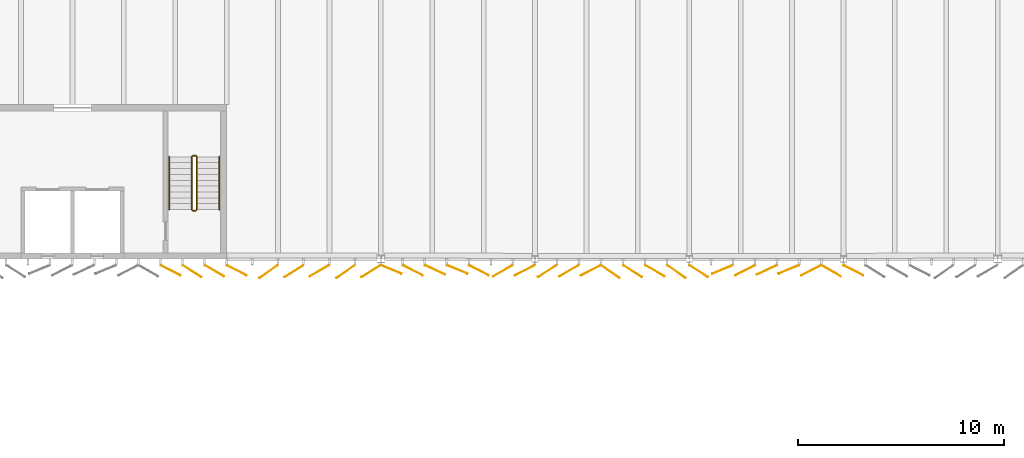
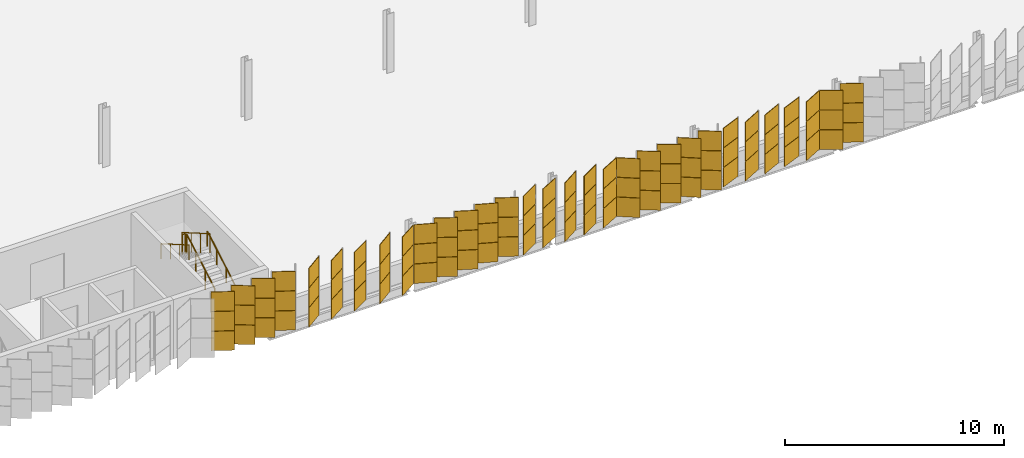
# One storey, part 183 of 199: 93 coverings, 6 railings.
"""IFC4 building model written with IfcOpenShell, lengths in metres."""

from ifc_helpers import new_model, si_unit, direction, frame, origin, origin_2d, place, context, subcontext, project, spatial, rectangle, circle, extrude, material, layer, layer_set, type_object, element, save


model = new_model("IFC4")

# Units and contexts
model_context = context("Model", 3, precision=1e-05, world=origin(), true_north=direction((0.0, 1.0)))
body_context = subcontext(model_context, "Body", "Model", "MODEL_VIEW")
ifc_project = project(units=[si_unit("LENGTHUNIT", "METRE"), si_unit("AREAUNIT", "SQUARE_METRE"), si_unit("VOLUMEUNIT", "CUBIC_METRE"), si_unit("PLANEANGLEUNIT", "RADIAN"), si_unit("MASSUNIT", "GRAM", prefix="KILO")], contexts=[model_context])

# Site, building, storey
site_placement = place(None, origin())
site = spatial("IfcSite", under=ifc_project, at=site_placement, CompositionType="ELEMENT")
building_placement = place(site_placement, origin())
building = spatial("IfcBuilding", under=site, at=building_placement, Name="Parallax Yard Mobility Hub", CompositionType="ELEMENT")
storey_placement = place(building_placement, frame((0.0, 0.0, 9.89990234375)))
storey = spatial("IfcBuildingStorey", under=building, at=storey_placement, Name="L03", CompositionType="ELEMENT", Elevation=9.89990234375)

# Coverings
ifc_material_1 = material(Name="Aluminium panel, champagne finish", Category="aluminium")
ifc_layer_1 = layer(ifc_material_1, 0.030029296875)
ifc_layer_set_1 = layer_set([ifc_layer_1], Name="Skin panel 22.5 degree turn, champagne finish")
covering_type_1 = type_object("IfcCoveringType", Name="Skin panel 22.5 degree turn, champagne finish", PredefinedType="CLADDING", material=ifc_layer_set_1)
for number, where, z_axis, x_axis, name in (
    (1, (90.50341796875, 111.987060546875, 0.02001953125), (0.0, 0.0, 1.0), (0.923879532511, -0.382683432365, 0.0), "Skin panel 22.5 bay 8.1 row 1 level L03"),
    (2, (93.718017578125, 111.987060546875, 0.02001953125), (0.0, 0.0, 1.0), (0.923879532511, -0.382683432365, 0.0), "Skin panel 22.5 bay 8.4 row 1 level L03"),
    (3, (106.619384765625, 111.987060546875, 0.02001953125), (0.0, 0.0, 1.0), (-0.923879532511, -0.382683432365, 0.0), "Skin panel 22.5 bay 10.2 row 1 level L03"),
    (4, (109.833984375, 111.987060546875, 0.02001953125), (0.0, 0.0, 1.0), (-0.923879532511, -0.382683432365, 0.0), "Skin panel 22.5 bay 10.5 row 1 level L03"),
):
    element("IfcCovering", number, at=place(storey_placement, frame(where, z_axis=z_axis, x_axis=x_axis)), inside=storey, type_object=covering_type_1, Name=name, ObjectType="SCREEN", PredefinedType="CLADDING", context=body_context, shape_type="SweptSolid", body=[
        extrude(rectangle(XDim=1.080078125, YDim=0.030029296875, at=origin_2d()), origin(), (0.0, 0.0, 1.0), 1.080078125),
    ])
ifc_material_2 = material(Name="Aluminium panel, silver anodised", Category="aluminium")
ifc_layer_2 = layer(ifc_material_2, 0.030029296875)
ifc_layer_set_2 = layer_set([ifc_layer_2], Name="Skin panel 22.5 degree turn, silver anodised")
covering_type_2 = type_object("IfcCoveringType", Name="Skin panel 22.5 degree turn, silver anodised", PredefinedType="CLADDING", material=ifc_layer_set_2)
for number, where, z_axis, x_axis, name in (
    (5, (90.50341796875, 111.987060546875, 1.1201171875), (0.0, 0.0, 1.0), (0.923879532511, -0.382683432365, 0.0), "Skin panel 22.5 bay 8.1 row 2 level L03"),
    (6, (90.50341796875, 111.987060546875, 2.219970703125), (0.0, 0.0, 1.0), (0.923879532511, -0.382683432365, 0.0), "Skin panel 22.5 bay 8.1 row 3 level L03"),
    (7, (93.718017578125, 111.987060546875, 1.1201171875), (0.0, 0.0, 1.0), (0.923879532511, -0.382683432365, 0.0), "Skin panel 22.5 bay 8.4 row 2 level L03"),
    (8, (93.718017578125, 111.987060546875, 2.219970703125), (0.0, 0.0, 1.0), (0.923879532511, -0.382683432365, 0.0), "Skin panel 22.5 bay 8.4 row 3 level L03"),
    (9, (106.619384765625, 111.987060546875, 1.1201171875), (0.0, 0.0, 1.0), (-0.923879532511, -0.382683432365, 0.0), "Skin panel 22.5 bay 10.2 row 2 level L03"),
    (10, (106.619384765625, 111.987060546875, 2.219970703125), (0.0, 0.0, 1.0), (-0.923879532511, -0.382683432365, 0.0), "Skin panel 22.5 bay 10.2 row 3 level L03"),
    (11, (109.833984375, 111.987060546875, 1.1201171875), (0.0, 0.0, 1.0), (-0.923879532511, -0.382683432365, 0.0), "Skin panel 22.5 bay 10.5 row 2 level L03"),
    (12, (109.833984375, 111.987060546875, 2.219970703125), (0.0, 0.0, 1.0), (-0.923879532511, -0.382683432365, 0.0), "Skin panel 22.5 bay 10.5 row 3 level L03"),
):
    element("IfcCovering", number, at=place(storey_placement, frame(where, z_axis=z_axis, x_axis=x_axis)), inside=storey, type_object=covering_type_2, Name=name, ObjectType="SCREEN", PredefinedType="CLADDING", context=body_context, shape_type="SweptSolid", body=[
        extrude(rectangle(XDim=1.080078125, YDim=0.030029296875, at=origin_2d()), origin(), (0.0, 0.0, 1.0), 1.080078125),
    ])
ifc_layer_3 = layer(ifc_material_1, 0.030029296875)
ifc_layer_set_3 = layer_set([ifc_layer_3], Name="Skin panel 25 degree turn, champagne finish")
covering_type_3 = type_object("IfcCoveringType", Name="Skin panel 25 degree turn, champagne finish", PredefinedType="CLADDING", material=ifc_layer_set_3)
for number, where, z_axis, x_axis, name in (
    (13, (92.63671875, 111.96484375, 0.02001953125), (0.0, 0.0, 1.0), (0.906307787037, -0.422618261741, 0.0), "Skin panel 25 bay 8.3 row 1 level L03"),
    (14, (108.772216796875, 111.96484375, 0.02001953125), (0.0, 0.0, 1.0), (-0.906307787037, -0.422618261741, 0.0), "Skin panel 25 bay 10.4 row 1 level L03"),
):
    element("IfcCovering", number, at=place(storey_placement, frame(where, z_axis=z_axis, x_axis=x_axis)), inside=storey, type_object=covering_type_3, Name=name, ObjectType="SCREEN", PredefinedType="CLADDING", context=body_context, shape_type="SweptSolid", body=[
        extrude(rectangle(XDim=1.080078125, YDim=0.030029296875, at=origin_2d()), origin(), (0.0, 0.0, 1.0), 1.080078125),
    ])
ifc_layer_4 = layer(ifc_material_2, 0.030029296875)
ifc_layer_set_4 = layer_set([ifc_layer_4], Name="Skin panel 25 degree turn, silver anodised")
covering_type_4 = type_object("IfcCoveringType", Name="Skin panel 25 degree turn, silver anodised", PredefinedType="CLADDING", material=ifc_layer_set_4)
for number, where, z_axis, x_axis, name in (
    (15, (92.63671875, 111.96484375, 1.1201171875), (0.0, 0.0, 1.0), (0.906307787037, -0.422618261741, 0.0), "Skin panel 25 bay 8.3 row 2 level L03"),
    (16, (92.63671875, 111.96484375, 2.219970703125), (0.0, 0.0, 1.0), (0.906307787037, -0.422618261741, 0.0), "Skin panel 25 bay 8.3 row 3 level L03"),
    (17, (108.772216796875, 111.96484375, 1.1201171875), (0.0, 0.0, 1.0), (-0.906307787037, -0.422618261741, 0.0), "Skin panel 25 bay 10.4 row 2 level L03"),
    (18, (108.772216796875, 111.96484375, 2.219970703125), (0.0, 0.0, 1.0), (-0.906307787037, -0.422618261741, 0.0), "Skin panel 25 bay 10.4 row 3 level L03"),
):
    element("IfcCovering", number, at=place(storey_placement, frame(where, z_axis=z_axis, x_axis=x_axis)), inside=storey, type_object=covering_type_4, Name=name, ObjectType="SCREEN", PredefinedType="CLADDING", context=body_context, shape_type="SweptSolid", body=[
        extrude(rectangle(XDim=1.080078125, YDim=0.030029296875, at=origin_2d()), origin(), (0.0, 0.0, 1.0), 1.080078125),
    ])
ifc_layer_5 = layer(ifc_material_1, 0.030029296875)
ifc_layer_set_5 = layer_set([ifc_layer_5], Name="Skin panel 27.5 degree turn, champagne finish")
covering_type_5 = type_object("IfcCoveringType", Name="Skin panel 27.5 degree turn, champagne finish", PredefinedType="CLADDING", material=ifc_layer_set_5)
for number, where, z_axis, x_axis, name in (
    (19, (79.770751953125, 111.943115234375, 0.02001953125), (0.0, 0.0, 1.0), (0.887010833178, -0.461748613235, 0.0), "Skin panel 27.5 bay 6.12 row 1 level L03"),
    (20, (82.9873046875, 111.943115234375, 0.02001953125), (0.0, 0.0, 1.0), (0.887010833178, -0.461748613235, 0.0), "Skin panel 27.5 bay 7.1 row 1 level L03"),
    (21, (91.554443359375, 111.943115234375, 0.02001953125), (0.0, 0.0, 1.0), (0.887010833178, -0.461748613235, 0.0), "Skin panel 27.5 bay 8.2 row 1 level L03"),
    (22, (94.768798828125, 111.943115234375, 0.02001953125), (0.0, 0.0, 1.0), (0.887010833178, -0.461748613235, 0.0), "Skin panel 27.5 bay 8.5 row 1 level L03"),
    (23, (96.996337890625, 111.943115234375, 0.02001953125), (0.0, 0.0, 1.0), (-0.887010833178, -0.461748613235, 0.0), "Skin panel 27.5 bay 8.7 row 1 level L03"),
    (24, (100.2109375, 111.943115234375, 0.02001953125), (0.0, 0.0, 1.0), (-0.887010833178, -0.461748613235, 0.0), "Skin panel 27.5 bay 9.3 row 1 level L03"),
    (25, (107.71142578125, 111.943115234375, 0.02001953125), (0.0, 0.0, 1.0), (-0.887010833178, -0.461748613235, 0.0), "Skin panel 27.5 bay 10.3 row 1 level L03"),
    (26, (110.926025390625, 111.943115234375, 0.02001953125), (0.0, 0.0, 1.0), (-0.887010833178, -0.461748613235, 0.0), "Skin panel 27.5 bay 10.6 row 1 level L03"),
    (27, (112.984375, 111.943115234375, 0.02001953125), (0.0, 0.0, 1.0), (0.887010833178, -0.461748613235, 0.0), "Skin panel 27.5 bay 11.1 row 1 level L03"),
):
    element("IfcCovering", number, at=place(storey_placement, frame(where, z_axis=z_axis, x_axis=x_axis)), inside=storey, type_object=covering_type_5, Name=name, ObjectType="SCREEN", PredefinedType="CLADDING", context=body_context, shape_type="SweptSolid", body=[
        extrude(rectangle(XDim=1.080078125, YDim=0.030029296875, at=origin_2d()), origin(), (0.0, 0.0, 1.0), 1.080078125),
    ])
ifc_layer_6 = layer(ifc_material_2, 0.030029296875)
ifc_layer_set_6 = layer_set([ifc_layer_6], Name="Skin panel 27.5 degree turn, silver anodised")
covering_type_6 = type_object("IfcCoveringType", Name="Skin panel 27.5 degree turn, silver anodised", PredefinedType="CLADDING", material=ifc_layer_set_6)
for number, where, z_axis, x_axis, name in (
    (28, (79.770751953125, 111.943115234375, 1.1201171875), (0.0, 0.0, 1.0), (0.887010833178, -0.461748613235, 0.0), "Skin panel 27.5 bay 6.12 row 2 level L03"),
    (29, (79.770751953125, 111.943115234375, 2.219970703125), (0.0, 0.0, 1.0), (0.887010833178, -0.461748613235, 0.0), "Skin panel 27.5 bay 6.12 row 3 level L03"),
    (30, (82.9873046875, 111.943115234375, 1.1201171875), (0.0, 0.0, 1.0), (0.887010833178, -0.461748613235, 0.0), "Skin panel 27.5 bay 7.1 row 2 level L03"),
    (31, (82.9873046875, 111.943115234375, 2.219970703125), (0.0, 0.0, 1.0), (0.887010833178, -0.461748613235, 0.0), "Skin panel 27.5 bay 7.1 row 3 level L03"),
    (32, (91.554443359375, 111.943115234375, 1.1201171875), (0.0, 0.0, 1.0), (0.887010833178, -0.461748613235, 0.0), "Skin panel 27.5 bay 8.2 row 2 level L03"),
    (33, (91.554443359375, 111.943115234375, 2.219970703125), (0.0, 0.0, 1.0), (0.887010833178, -0.461748613235, 0.0), "Skin panel 27.5 bay 8.2 row 3 level L03"),
    (34, (94.768798828125, 111.943115234375, 1.1201171875), (0.0, 0.0, 1.0), (0.887010833178, -0.461748613235, 0.0), "Skin panel 27.5 bay 8.5 row 2 level L03"),
    (35, (94.768798828125, 111.943115234375, 2.219970703125), (0.0, 0.0, 1.0), (0.887010833178, -0.461748613235, 0.0), "Skin panel 27.5 bay 8.5 row 3 level L03"),
    (36, (96.996337890625, 111.943115234375, 1.1201171875), (0.0, 0.0, 1.0), (-0.887010833178, -0.461748613235, 0.0), "Skin panel 27.5 bay 8.7 row 2 level L03"),
    (37, (96.996337890625, 111.943115234375, 2.219970703125), (0.0, 0.0, 1.0), (-0.887010833178, -0.461748613235, 0.0), "Skin panel 27.5 bay 8.7 row 3 level L03"),
    (38, (100.2109375, 111.943115234375, 1.1201171875), (0.0, 0.0, 1.0), (-0.887010833178, -0.461748613235, 0.0), "Skin panel 27.5 bay 9.3 row 2 level L03"),
    (39, (100.2109375, 111.943115234375, 2.219970703125), (0.0, 0.0, 1.0), (-0.887010833178, -0.461748613235, 0.0), "Skin panel 27.5 bay 9.3 row 3 level L03"),
    (40, (107.71142578125, 111.943115234375, 1.1201171875), (0.0, 0.0, 1.0), (-0.887010833178, -0.461748613235, 0.0), "Skin panel 27.5 bay 10.3 row 2 level L03"),
    (41, (107.71142578125, 111.943115234375, 2.219970703125), (0.0, 0.0, 1.0), (-0.887010833178, -0.461748613235, 0.0), "Skin panel 27.5 bay 10.3 row 3 level L03"),
    (42, (110.926025390625, 111.943115234375, 1.1201171875), (0.0, 0.0, 1.0), (-0.887010833178, -0.461748613235, 0.0), "Skin panel 27.5 bay 10.6 row 2 level L03"),
    (43, (110.926025390625, 111.943115234375, 2.219970703125), (0.0, 0.0, 1.0), (-0.887010833178, -0.461748613235, 0.0), "Skin panel 27.5 bay 10.6 row 3 level L03"),
    (44, (112.984375, 111.943115234375, 1.1201171875), (0.0, 0.0, 1.0), (0.887010833178, -0.461748613235, 0.0), "Skin panel 27.5 bay 11.1 row 2 level L03"),
    (45, (112.984375, 111.943115234375, 2.219970703125), (0.0, 0.0, 1.0), (0.887010833178, -0.461748613235, 0.0), "Skin panel 27.5 bay 11.1 row 3 level L03"),
):
    element("IfcCovering", number, at=place(storey_placement, frame(where, z_axis=z_axis, x_axis=x_axis)), inside=storey, type_object=covering_type_6, Name=name, ObjectType="SCREEN", PredefinedType="CLADDING", context=body_context, shape_type="SweptSolid", body=[
        extrude(rectangle(XDim=1.080078125, YDim=0.030029296875, at=origin_2d()), origin(), (0.0, 0.0, 1.0), 1.080078125),
    ])
ifc_layer_7 = layer(ifc_material_1, 0.030029296875)
ifc_layer_set_7 = layer_set([ifc_layer_7], Name="Skin panel 30 degree turn, champagne finish")
covering_type_7 = type_object("IfcCoveringType", Name="Skin panel 30 degree turn, champagne finish", PredefinedType="CLADDING", material=ifc_layer_set_7)
for number, where, z_axis, x_axis, name in (
    (46, (81.903564453125, 111.921875, 0.02001953125), (0.0, 0.0, 1.0), (0.866025403784, -0.5, 0.0), "Skin panel 30 bay 6.14 row 1 level L03"),
    (47, (87.009033203125, 111.921875, 0.02001953125), (0.0, 0.0, 1.0), (-0.866025403784, -0.5, 0.0), "Skin panel 30 bay 7.4 row 1 level L03"),
    (48, (95.9365234375, 111.921875, 0.02001953125), (0.0, 0.0, 1.0), (-0.866025403784, -0.5, 0.0), "Skin panel 30 bay 8.6 row 1 level L03"),
    (49, (99.151123046875, 111.921875, 0.02001953125), (0.0, 0.0, 1.0), (-0.866025403784, -0.5, 0.0), "Skin panel 30 bay 9.2 row 1 level L03"),
    (50, (103.3291015625, 111.921875, 0.02001953125), (0.0, 0.0, 1.0), (0.866025403784, -0.5, 0.0), "Skin panel 30 bay 9.6 row 1 level L03"),
    (51, (111.9013671875, 111.921875, 0.02001953125), (0.0, 0.0, 1.0), (0.866025403784, -0.5, 0.0), "Skin panel 30 bay 10.7 row 1 level L03"),
):
    element("IfcCovering", number, at=place(storey_placement, frame(where, z_axis=z_axis, x_axis=x_axis)), inside=storey, type_object=covering_type_7, Name=name, ObjectType="SCREEN", PredefinedType="CLADDING", context=body_context, shape_type="SweptSolid", body=[
        extrude(rectangle(XDim=1.080078125, YDim=0.030029296875, at=origin_2d()), origin(), (0.0, 0.0, 1.0), 1.080078125),
    ])
ifc_layer_8 = layer(ifc_material_2, 0.030029296875)
ifc_layer_set_8 = layer_set([ifc_layer_8], Name="Skin panel 30 degree turn, silver anodised")
covering_type_8 = type_object("IfcCoveringType", Name="Skin panel 30 degree turn, silver anodised", PredefinedType="CLADDING", material=ifc_layer_set_8)
for number, where, z_axis, x_axis, name in (
    (52, (81.903564453125, 111.921875, 1.1201171875), (0.0, 0.0, 1.0), (0.866025403784, -0.5, 0.0), "Skin panel 30 bay 6.14 row 2 level L03"),
    (53, (81.903564453125, 111.921875, 2.219970703125), (0.0, 0.0, 1.0), (0.866025403784, -0.5, 0.0), "Skin panel 30 bay 6.14 row 3 level L03"),
    (54, (87.009033203125, 111.921875, 1.1201171875), (0.0, 0.0, 1.0), (-0.866025403784, -0.5, 0.0), "Skin panel 30 bay 7.4 row 2 level L03"),
    (55, (87.009033203125, 111.921875, 2.219970703125), (0.0, 0.0, 1.0), (-0.866025403784, -0.5, 0.0), "Skin panel 30 bay 7.4 row 3 level L03"),
    (56, (95.9365234375, 111.921875, 1.1201171875), (0.0, 0.0, 1.0), (-0.866025403784, -0.5, 0.0), "Skin panel 30 bay 8.6 row 2 level L03"),
    (57, (95.9365234375, 111.921875, 2.219970703125), (0.0, 0.0, 1.0), (-0.866025403784, -0.5, 0.0), "Skin panel 30 bay 8.6 row 3 level L03"),
    (58, (99.151123046875, 111.921875, 1.1201171875), (0.0, 0.0, 1.0), (-0.866025403784, -0.5, 0.0), "Skin panel 30 bay 9.2 row 2 level L03"),
    (59, (99.151123046875, 111.921875, 2.219970703125), (0.0, 0.0, 1.0), (-0.866025403784, -0.5, 0.0), "Skin panel 30 bay 9.2 row 3 level L03"),
    (60, (103.3291015625, 111.921875, 1.1201171875), (0.0, 0.0, 1.0), (0.866025403784, -0.5, 0.0), "Skin panel 30 bay 9.6 row 2 level L03"),
    (61, (103.3291015625, 111.921875, 2.219970703125), (0.0, 0.0, 1.0), (0.866025403784, -0.5, 0.0), "Skin panel 30 bay 9.6 row 3 level L03"),
    (62, (111.9013671875, 111.921875, 1.1201171875), (0.0, 0.0, 1.0), (0.866025403784, -0.5, 0.0), "Skin panel 30 bay 10.7 row 2 level L03"),
    (63, (111.9013671875, 111.921875, 2.219970703125), (0.0, 0.0, 1.0), (0.866025403784, -0.5, 0.0), "Skin panel 30 bay 10.7 row 3 level L03"),
):
    element("IfcCovering", number, at=place(storey_placement, frame(where, z_axis=z_axis, x_axis=x_axis)), inside=storey, type_object=covering_type_8, Name=name, ObjectType="SCREEN", PredefinedType="CLADDING", context=body_context, shape_type="SweptSolid", body=[
        extrude(rectangle(XDim=1.080078125, YDim=0.030029296875, at=origin_2d()), origin(), (0.0, 0.0, 1.0), 1.080078125),
    ])
ifc_layer_9 = layer(ifc_material_1, 0.030029296875)
ifc_layer_set_9 = layer_set([ifc_layer_9], Name="Skin panel 32.5 degree turn, champagne finish")
covering_type_9 = type_object("IfcCoveringType", Name="Skin panel 32.5 degree turn, champagne finish", PredefinedType="CLADDING", material=ifc_layer_set_9)
for number, where, z_axis, x_axis, name in (
    (64, (80.818603515625, 111.901123046875, 0.02001953125), (0.0, 0.0, 1.0), (0.843391445813, -0.537299608347, 0.0), "Skin panel 32.5 bay 6.13 row 1 level L03"),
    (65, (85.7724609375, 111.901123046875, 0.02001953125), (0.0, 0.0, 1.0), (-0.843391445813, -0.537299608347, 0.0), "Skin panel 32.5 bay 7.3 row 1 level L03"),
    (66, (89.520263671875, 111.901123046875, 0.02001953125), (0.0, 0.0, 1.0), (-0.843391445813, -0.537299608347, 0.0), "Skin panel 32.5 bay 7.6 row 1 level L03"),
    (67, (98.09228515625, 111.901123046875, 0.02001953125), (0.0, 0.0, 1.0), (-0.843391445813, -0.537299608347, 0.0), "Skin panel 32.5 bay 9.1 row 1 level L03"),
    (68, (102.2451171875, 111.901123046875, 0.02001953125), (0.0, 0.0, 1.0), (0.843391445813, -0.537299608347, 0.0), "Skin panel 32.5 bay 9.5 row 1 level L03"),
    (69, (105.459716796875, 111.901123046875, 0.02001953125), (0.0, 0.0, 1.0), (0.843391445813, -0.537299608347, 0.0), "Skin panel 32.5 bay 10.1 row 1 level L03"),
):
    element("IfcCovering", number, at=place(storey_placement, frame(where, z_axis=z_axis, x_axis=x_axis)), inside=storey, type_object=covering_type_9, Name=name, ObjectType="SCREEN", PredefinedType="CLADDING", context=body_context, shape_type="SweptSolid", body=[
        extrude(rectangle(XDim=1.080078125, YDim=0.030029296875, at=origin_2d()), origin(), (0.0, 0.0, 1.0), 1.080078125),
    ])
ifc_layer_10 = layer(ifc_material_2, 0.030029296875)
ifc_layer_set_10 = layer_set([ifc_layer_10], Name="Skin panel 32.5 degree turn, silver anodised")
covering_type_10 = type_object("IfcCoveringType", Name="Skin panel 32.5 degree turn, silver anodised", PredefinedType="CLADDING", material=ifc_layer_set_10)
for number, where, z_axis, x_axis, name in (
    (70, (80.818603515625, 111.901123046875, 1.1201171875), (0.0, 0.0, 1.0), (0.843391445813, -0.537299608347, 0.0), "Skin panel 32.5 bay 6.13 row 2 level L03"),
    (71, (80.818603515625, 111.901123046875, 2.219970703125), (0.0, 0.0, 1.0), (0.843391445813, -0.537299608347, 0.0), "Skin panel 32.5 bay 6.13 row 3 level L03"),
    (72, (85.7724609375, 111.901123046875, 1.1201171875), (0.0, 0.0, 1.0), (-0.843391445813, -0.537299608347, 0.0), "Skin panel 32.5 bay 7.3 row 2 level L03"),
    (73, (85.7724609375, 111.901123046875, 2.219970703125), (0.0, 0.0, 1.0), (-0.843391445813, -0.537299608347, 0.0), "Skin panel 32.5 bay 7.3 row 3 level L03"),
    (74, (89.520263671875, 111.901123046875, 1.1201171875), (0.0, 0.0, 1.0), (-0.843391445813, -0.537299608347, 0.0), "Skin panel 32.5 bay 7.6 row 2 level L03"),
    (75, (89.520263671875, 111.901123046875, 2.219970703125), (0.0, 0.0, 1.0), (-0.843391445813, -0.537299608347, 0.0), "Skin panel 32.5 bay 7.6 row 3 level L03"),
    (76, (98.09228515625, 111.901123046875, 1.1201171875), (0.0, 0.0, 1.0), (-0.843391445813, -0.537299608347, 0.0), "Skin panel 32.5 bay 9.1 row 2 level L03"),
    (77, (98.09228515625, 111.901123046875, 2.219970703125), (0.0, 0.0, 1.0), (-0.843391445813, -0.537299608347, 0.0), "Skin panel 32.5 bay 9.1 row 3 level L03"),
    (78, (102.2451171875, 111.901123046875, 1.1201171875), (0.0, 0.0, 1.0), (0.843391445813, -0.537299608347, 0.0), "Skin panel 32.5 bay 9.5 row 2 level L03"),
    (79, (102.2451171875, 111.901123046875, 2.219970703125), (0.0, 0.0, 1.0), (0.843391445813, -0.537299608347, 0.0), "Skin panel 32.5 bay 9.5 row 3 level L03"),
    (80, (105.459716796875, 111.901123046875, 1.1201171875), (0.0, 0.0, 1.0), (0.843391445813, -0.537299608347, 0.0), "Skin panel 32.5 bay 10.1 row 2 level L03"),
    (81, (105.459716796875, 111.901123046875, 2.219970703125), (0.0, 0.0, 1.0), (0.843391445813, -0.537299608347, 0.0), "Skin panel 32.5 bay 10.1 row 3 level L03"),
):
    element("IfcCovering", number, at=place(storey_placement, frame(where, z_axis=z_axis, x_axis=x_axis)), inside=storey, type_object=covering_type_10, Name=name, ObjectType="SCREEN", PredefinedType="CLADDING", context=body_context, shape_type="SweptSolid", body=[
        extrude(rectangle(XDim=1.080078125, YDim=0.030029296875, at=origin_2d()), origin(), (0.0, 0.0, 1.0), 1.080078125),
    ])
ifc_layer_11 = layer(ifc_material_1, 0.030029296875)
ifc_layer_set_11 = layer_set([ifc_layer_11], Name="Skin panel 35 degree turn, champagne finish")
covering_type_11 = type_object("IfcCoveringType", Name="Skin panel 35 degree turn, champagne finish", PredefinedType="CLADDING", material=ifc_layer_set_11)
for number, where, z_axis, x_axis, name in (
    (82, (84.53662109375, 111.880859375, 0.02001953125), (0.0, 0.0, 1.0), (-0.819152044289, -0.573576436351, 0.0), "Skin panel 35 bay 7.2 row 1 level L03"),
    (83, (88.284423828125, 111.880859375, 0.02001953125), (0.0, 0.0, 1.0), (-0.819152044289, -0.573576436351, 0.0), "Skin panel 35 bay 7.5 row 1 level L03"),
    (84, (101.16015625, 111.880859375, 0.02001953125), (0.0, 0.0, 1.0), (0.819152044289, -0.573576436351, 0.0), "Skin panel 35 bay 9.4 row 1 level L03"),
    (85, (104.374755859375, 111.880859375, 0.02001953125), (0.0, 0.0, 1.0), (0.819152044289, -0.573576436351, 0.0), "Skin panel 35 bay 9.7 row 1 level L03"),
):
    element("IfcCovering", number, at=place(storey_placement, frame(where, z_axis=z_axis, x_axis=x_axis)), inside=storey, type_object=covering_type_11, Name=name, ObjectType="SCREEN", PredefinedType="CLADDING", context=body_context, shape_type="SweptSolid", body=[
        extrude(rectangle(XDim=1.080078125, YDim=0.030029296875, at=origin_2d()), origin(), (0.0, 0.0, 1.0), 1.080078125),
    ])
ifc_layer_12 = layer(ifc_material_2, 0.030029296875)
ifc_layer_set_12 = layer_set([ifc_layer_12], Name="Skin panel 35 degree turn, silver anodised")
covering_type_12 = type_object("IfcCoveringType", Name="Skin panel 35 degree turn, silver anodised", PredefinedType="CLADDING", material=ifc_layer_set_12)
for number, where, z_axis, x_axis, name in (
    (86, (84.53662109375, 111.880859375, 1.1201171875), (0.0, 0.0, 1.0), (-0.819152044289, -0.573576436351, 0.0), "Skin panel 35 bay 7.2 row 2 level L03"),
    (87, (84.53662109375, 111.880859375, 2.219970703125), (0.0, 0.0, 1.0), (-0.819152044289, -0.573576436351, 0.0), "Skin panel 35 bay 7.2 row 3 level L03"),
    (88, (88.284423828125, 111.880859375, 1.1201171875), (0.0, 0.0, 1.0), (-0.819152044289, -0.573576436351, 0.0), "Skin panel 35 bay 7.5 row 2 level L03"),
    (89, (88.284423828125, 111.880859375, 2.219970703125), (0.0, 0.0, 1.0), (-0.819152044289, -0.573576436351, 0.0), "Skin panel 35 bay 7.5 row 3 level L03"),
    (90, (101.16015625, 111.880859375, 1.1201171875), (0.0, 0.0, 1.0), (0.819152044289, -0.573576436351, 0.0), "Skin panel 35 bay 9.4 row 2 level L03"),
    (91, (101.16015625, 111.880859375, 2.219970703125), (0.0, 0.0, 1.0), (0.819152044289, -0.573576436351, 0.0), "Skin panel 35 bay 9.4 row 3 level L03"),
    (92, (104.374755859375, 111.880859375, 1.1201171875), (0.0, 0.0, 1.0), (0.819152044289, -0.573576436351, 0.0), "Skin panel 35 bay 9.7 row 2 level L03"),
    (93, (104.374755859375, 111.880859375, 2.219970703125), (0.0, 0.0, 1.0), (0.819152044289, -0.573576436351, 0.0), "Skin panel 35 bay 9.7 row 3 level L03"),
):
    element("IfcCovering", number, at=place(storey_placement, frame(where, z_axis=z_axis, x_axis=x_axis)), inside=storey, type_object=covering_type_12, Name=name, ObjectType="SCREEN", PredefinedType="CLADDING", context=body_context, shape_type="SweptSolid", body=[
        extrude(rectangle(XDim=1.080078125, YDim=0.030029296875, at=origin_2d()), origin(), (0.0, 0.0, 1.0), 1.080078125),
    ])

# Railings
ifc_material_3 = material(Name="Steel ASTM A36", Category="steel")
railing_type_1 = type_object("IfcRailingType", Name="Stair guard 1100", PredefinedType="GUARDRAIL", material=ifc_material_3)
railing_1_placement = place(storey_placement, frame((81.050048828125, 114.89990234375, 0.1650390625)))
element("IfcRailing", 94, at=railing_1_placement, inside=storey, type_object=railing_type_1, Name="L03 ST3 stair guard 1", PredefinedType="GUARDRAIL", context=body_context, shape_type="SweptSolid", body=[
    extrude(circle(Radius=0.02392578125, at=origin_2d()), frame((0.0, 0.0, 1.076171875), z_axis=(0.0, 0.865426285481, 0.501036270542), x_axis=(-1.0, 0.0, 0.0)), (0.0, 0.0, 1.0), 2.964111328125),
    extrude(circle(Radius=0.02099609375, at=origin_2d()), origin(), (0.0, 0.0, 1.0), 1.052001953125),
    extrude(circle(Radius=0.02099609375, at=origin_2d()), frame((0.0, 0.85498046875, 0.4951171875)), (0.0, 0.0, 1.0), 1.052001953125),
    extrude(circle(Radius=0.02099609375, at=origin_2d()), frame((0.0, 1.710205078125, 0.989990234375)), (0.0, 0.0, 1.0), 1.052001953125),
    extrude(circle(Radius=0.02099609375, at=origin_2d()), frame((0.0, 2.565185546875, 1.485107421875)), (0.0, 0.0, 1.0), 1.052001953125),
])
railing_2_placement = place(storey_placement, frame((81.0, 117.514892578125, 1.650146484375)))
element("IfcRailing", 95, at=railing_2_placement, inside=storey, type_object=railing_type_1, Name="L03 ST3 stair guard 2", PredefinedType="GUARDRAIL", context=body_context, shape_type="SweptSolid", body=[
    extrude(circle(Radius=0.02392578125, at=origin_2d()), frame((0.0, 0.0, 1.076171875), z_axis=(-1.0, 0.0, 0.0), x_axis=(0.0, -1.0, 0.0)), (0.0, 0.0, 1.0), 0.14990234375),
    extrude(circle(Radius=0.02099609375, at=origin_2d()), origin(), (0.0, 0.0, 1.0), 1.052001953125),
    extrude(circle(Radius=0.02099609375, at=origin_2d()), frame((-0.14990234375, 0.0, 0.0)), (0.0, 0.0, 1.0), 1.052001953125),
])
railing_3_placement = place(storey_placement, frame((80.800048828125, 117.465087890625, 1.815185546875)))
element("IfcRailing", 96, at=railing_3_placement, inside=storey, type_object=railing_type_1, Name="L03 ST3 stair guard 3", PredefinedType="GUARDRAIL", context=body_context, shape_type="SweptSolid", body=[
    extrude(circle(Radius=0.02392578125, at=origin_2d()), frame((0.0, 0.0, 1.076171875), z_axis=(0.0, -0.865461999751, 0.500974577186), x_axis=(1.0, 0.0, 0.0)), (0.0, 0.0, 1.0), 2.9638671875),
    extrude(circle(Radius=0.02099609375, at=origin_2d()), origin(), (0.0, 0.0, 1.0), 1.052001953125),
    extrude(circle(Radius=0.02099609375, at=origin_2d()), frame((0.0, -0.85498046875, 0.494873046875)), (0.0, 0.0, 1.0), 1.052001953125),
    extrude(circle(Radius=0.02099609375, at=origin_2d()), frame((0.0, -1.710205078125, 0.989990234375)), (0.0, 0.0, 1.0), 1.052001953125),
    extrude(circle(Radius=0.02099609375, at=origin_2d()), frame((0.0, -2.565185546875, 1.48486328125)), (0.0, 0.0, 1.0), 1.052001953125),
])
railing_4_placement = place(storey_placement, frame((81.0, 114.85009765625, 0.0)))
element("IfcRailing", 97, at=railing_4_placement, inside=storey, type_object=railing_type_1, Name="L03 ST3 stair guard 4", PredefinedType="GUARDRAIL", context=body_context, shape_type="SweptSolid", body=[
    extrude(circle(Radius=0.02392578125, at=origin_2d()), frame((0.0, 0.0, 1.076171875), z_axis=(-1.0, 0.0, 0.0), x_axis=(0.0, -1.0, 0.0)), (0.0, 0.0, 1.0), 0.14990234375),
    extrude(circle(Radius=0.02099609375, at=origin_2d()), origin(), (0.0, 0.0, 1.0), 1.052001953125),
    extrude(circle(Radius=0.02099609375, at=origin_2d()), frame((-0.14990234375, 0.0, 0.0)), (0.0, 0.0, 1.0), 1.052001953125),
])
railing_type_2 = type_object("IfcRailingType", Name="Stair handrail", PredefinedType="HANDRAIL", material=ifc_material_3)
railing_5_placement = place(storey_placement, frame((82.14990234375, 114.89990234375, 0.1650390625)))
element("IfcRailing", 98, at=railing_5_placement, inside=storey, type_object=railing_type_2, Name="L03 ST3 stair handrail 1", PredefinedType="HANDRAIL", context=body_context, shape_type="SweptSolid", body=[
    extrude(circle(Radius=0.02392578125, at=origin_2d()), frame((0.0, 0.0, 0.8310546875), z_axis=(0.0, 0.865426285481, 0.501036270542), x_axis=(-1.0, 0.0, 0.0)), (0.0, 0.0, 1.0), 2.964111328125),
    extrude(circle(Radius=0.02099609375, at=origin_2d()), origin(), (0.0, 0.0, 1.0), 0.806884765625),
    extrude(circle(Radius=0.02099609375, at=origin_2d()), frame((0.0, 0.85498046875, 0.4951171875)), (0.0, 0.0, 1.0), 0.806884765625),
    extrude(circle(Radius=0.02099609375, at=origin_2d()), frame((0.0, 1.710205078125, 0.989990234375)), (0.0, 0.0, 1.0), 0.806884765625),
    extrude(circle(Radius=0.02099609375, at=origin_2d()), frame((0.0, 2.565185546875, 1.485107421875)), (0.0, 0.0, 1.0), 0.806884765625),
])
railing_6_placement = place(storey_placement, frame((79.699951171875, 117.465087890625, 1.815185546875)))
element("IfcRailing", 99, at=railing_6_placement, inside=storey, type_object=railing_type_2, Name="L03 ST3 stair handrail 2", PredefinedType="HANDRAIL", context=body_context, shape_type="SweptSolid", body=[
    extrude(circle(Radius=0.02392578125, at=origin_2d()), frame((0.0, 0.0, 0.8310546875), z_axis=(0.0, -0.865461999751, 0.500974577186), x_axis=(1.0, 0.0, 0.0)), (0.0, 0.0, 1.0), 2.9638671875),
    extrude(circle(Radius=0.02099609375, at=origin_2d()), origin(), (0.0, 0.0, 1.0), 0.806884765625),
    extrude(circle(Radius=0.02099609375, at=origin_2d()), frame((0.0, -0.85498046875, 0.494873046875)), (0.0, 0.0, 1.0), 0.806884765625),
    extrude(circle(Radius=0.02099609375, at=origin_2d()), frame((0.0, -1.710205078125, 0.989990234375)), (0.0, 0.0, 1.0), 0.806884765625),
    extrude(circle(Radius=0.02099609375, at=origin_2d()), frame((0.0, -2.565185546875, 1.48486328125)), (0.0, 0.0, 1.0), 0.806884765625),
])

save(model, "model.ifc")
